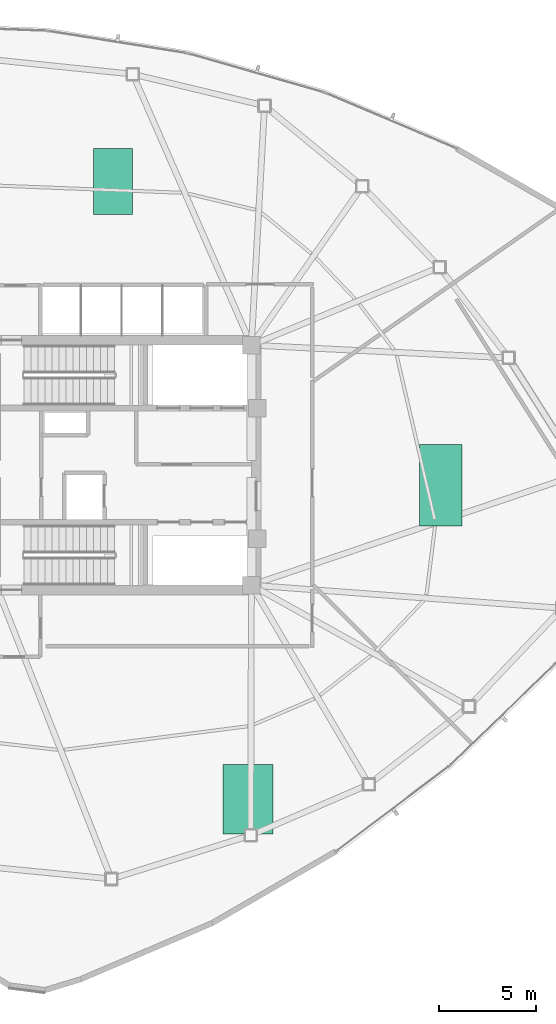
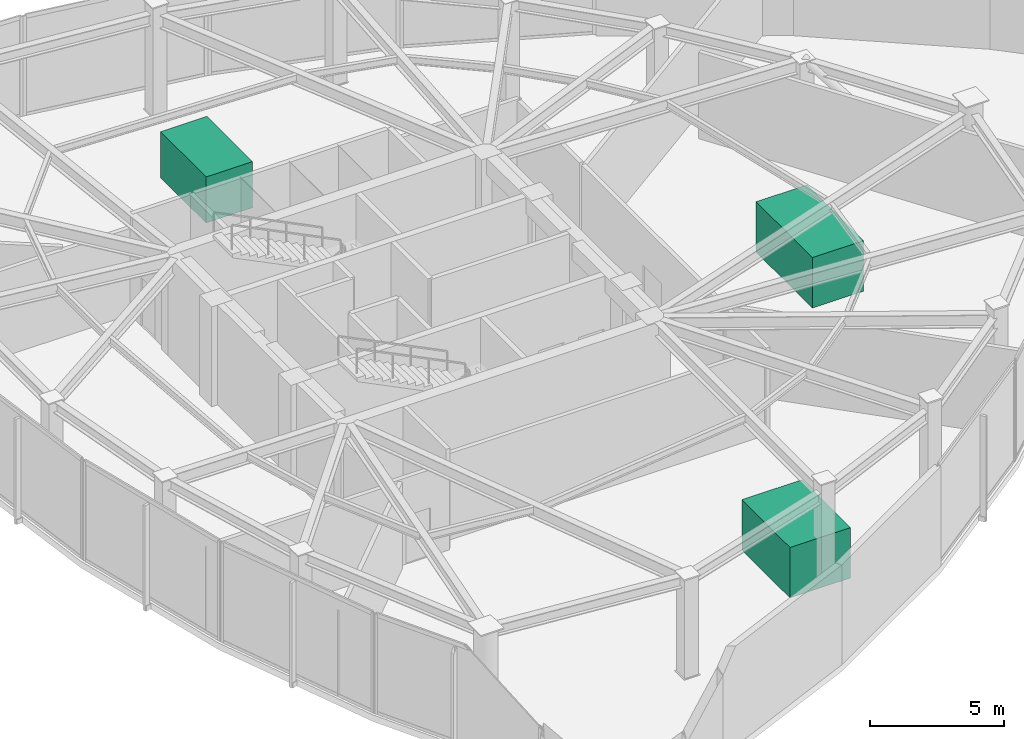
# One storey, part 17 of 17: 1 chiller, 1 tank, 1 unitary equipment element.
"""IFC4 building model written with IfcOpenShell, lengths in metres."""

from ifc_helpers import new_model, si_unit, direction, frame, origin, origin_2d, place, context, subcontext, project, spatial, rectangle, extrude, material, type_object, element, save


model = new_model("IFC4")

# Units and contexts
model_context = context("Model", 3, precision=1e-05, world=origin(), true_north=direction((0.0, 1.0)))
body_context = subcontext(model_context, "Body", "Model", "MODEL_VIEW")
ifc_project = project(units=[si_unit("LENGTHUNIT", "METRE"), si_unit("AREAUNIT", "SQUARE_METRE"), si_unit("VOLUMEUNIT", "CUBIC_METRE"), si_unit("PLANEANGLEUNIT", "RADIAN"), si_unit("MASSUNIT", "GRAM", prefix="KILO")], contexts=[model_context])

# Site, building, storey
site_placement = place(None, origin())
site = spatial("IfcSite", under=ifc_project, at=site_placement, CompositionType="ELEMENT")
building_placement = place(site_placement, origin())
building = spatial("IfcBuilding", under=site, at=building_placement, Name="Tavelor Broadcast Tower", CompositionType="ELEMENT")
storey_placement = place(building_placement, frame((0.0, 0.0, 204.14990234375)))
storey = spatial("IfcBuildingStorey", under=building, at=storey_placement, Name="L49", CompositionType="ELEMENT", Elevation=204.14990234375)

# Unitary equipment
ifc_material = material(Name="Steel S355", Category="steel")
unitary_equipment_type = type_object("IfcUnitaryEquipmentType", Name="Broadcast Acoustic Air Handling Unit AHU", PredefinedType="AIRHANDLER", material=ifc_material)
unitary_equipment_placement = place(storey_placement, frame((49.44921875, 59.663330078125, 0.0), z_axis=(0.0, 0.0, 1.0), x_axis=(1.0, 0.0, 0.0)))
element("IfcUnitaryEquipment", 1, at=unitary_equipment_placement, inside=storey, type_object=unitary_equipment_type, Name="L49 Broadcast Acoustic Air Handling Unit #7", PredefinedType="AIRHANDLER", context=body_context, shape_type="SweptSolid", body=[
    extrude(rectangle(XDim=2.0, YDim=3.39990234375, at=origin_2d()), origin(), (0.0, 0.0, 1.0), 2.10009765625),
])

# Chiller
chiller_type = type_object("IfcChillerType", Name="Centrifugal Water-Cooled Chiller Package 2500 kW", PredefinedType="WATERCOOLED", material=ifc_material)
chiller_placement = place(storey_placement, frame((66.377685546875, 43.955078125, 0.0), z_axis=(0.0, 0.0, 1.0), x_axis=(1.0, 0.0, 0.0)))
element("IfcChiller", 2, at=chiller_placement, inside=storey, type_object=chiller_type, Name="L49 Centrifugal Water-Cooled Chiller #9", PredefinedType="WATERCOOLED", context=body_context, shape_type="SweptSolid", body=[
    extrude(rectangle(XDim=2.199951171875, YDim=4.199951171875, at=origin_2d()), origin(), (0.0, 0.0, 1.0), 2.300048828125),
])

# Tank
tank_type = type_object("IfcTankType", Name="Sectional Stainless Steel Fire and Domestic Water Tank", PredefinedType="STORAGE", material=ifc_material)
tank_placement = place(storey_placement, frame((56.42431640625, 27.733642578125, 0.0), z_axis=(0.0, 0.0, 1.0), x_axis=(1.0, 0.0, 0.0)))
element("IfcTank", 3, at=tank_placement, inside=storey, type_object=tank_type, Name="L49 Sectional Stainless Water Tank #8", PredefinedType="STORAGE", context=body_context, shape_type="SweptSolid", body=[
    extrude(rectangle(XDim=2.60009765625, YDim=3.60009765625, at=origin_2d()), origin(), (0.0, 0.0, 1.0), 2.300048828125),
])

save(model, "model.ifc")
